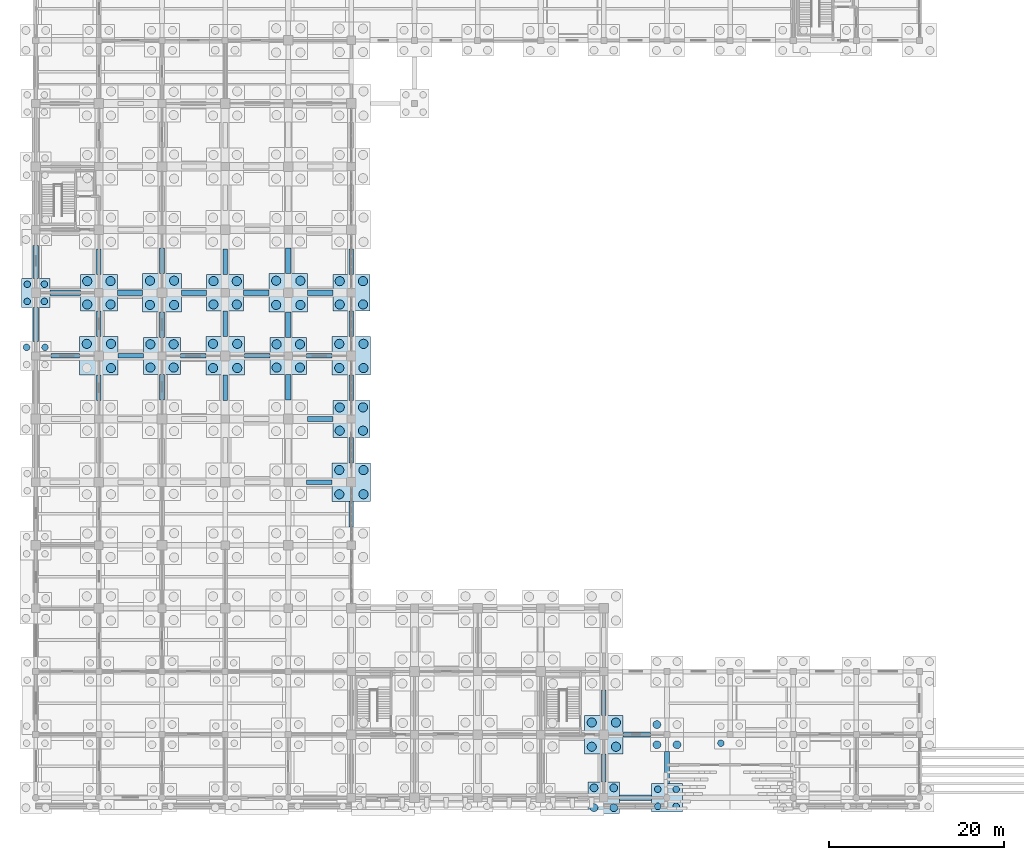
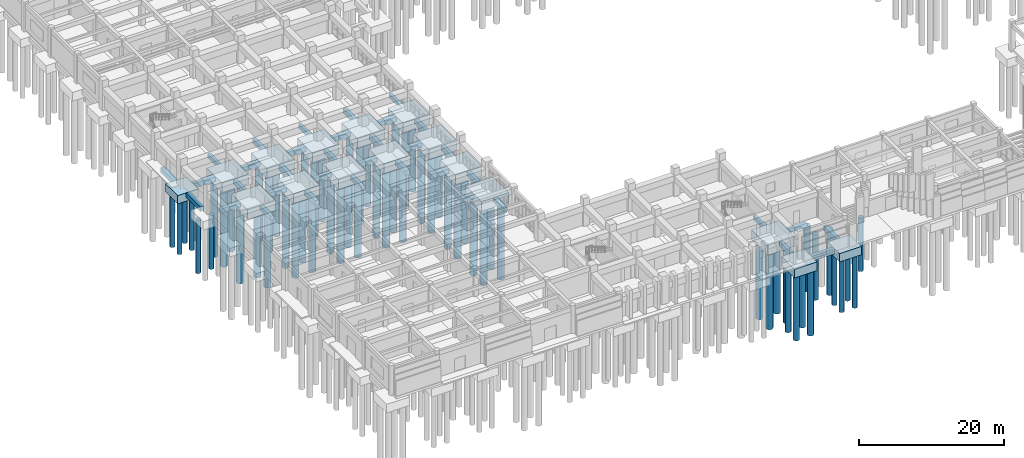
# One storey, part 4 of 79: 69 piles, 52 footings.
"""IFC4 building model written with IfcOpenShell, lengths in metres."""

from ifc_helpers import new_model, si_unit, direction, frame, origin, origin_2d, place, context, subcontext, project, spatial, polyline, rectangle, circle, outline, extrude, material, material_profile, profile_set, type_object, element, save


model = new_model("IFC4")

# Units and contexts
model_context = context("Model", 3, precision=1e-05, world=origin(), true_north=direction((0.0, 1.0)))
body_context = subcontext(model_context, "Body", "Model", "MODEL_VIEW")
ifc_project = project(units=[si_unit("LENGTHUNIT", "METRE"), si_unit("AREAUNIT", "SQUARE_METRE"), si_unit("VOLUMEUNIT", "CUBIC_METRE"), si_unit("PLANEANGLEUNIT", "RADIAN"), si_unit("MASSUNIT", "GRAM", prefix="KILO")], contexts=[model_context])

# Site, building, storey
site_placement = place(None, origin())
site = spatial("IfcSite", under=ifc_project, at=site_placement, CompositionType="ELEMENT")
building_placement = place(site_placement, origin())
building = spatial("IfcBuilding", under=site, at=building_placement, Name="Kavelor Marine Aquarium", CompositionType="ELEMENT")
storey_placement = place(building_placement, origin())
storey = spatial("IfcBuildingStorey", under=building, at=storey_placement, Name="L00", CompositionType="ELEMENT", Elevation=0.0)

# Footings
ifc_material_1 = material(Name="Concrete C40/50", Category="concrete")
footing_type_1 = type_object("IfcFootingType", Name="CAP-PC01", PredefinedType="PILE_CAP", material=ifc_material_1)
footing_1_placement = place(storey_placement, frame((0.0, 0.0, -2.0)))
element("IfcFooting", 1, at=footing_1_placement, inside=storey, type_object=footing_type_1, Name="Pile Cap PC01 (2-H)", PredefinedType="PILE_CAP", context=body_context, shape_type="SweptSolid", body=[
    extrude(outline(polyline([(8.199951171875, 51.0), (12.60009765625, 51.0), (12.60009765625, 55.39990234375), (8.199951171875, 55.39990234375), (8.199951171875, 51.0)])), origin(), (0.0, 0.0, 1.0), 1.64990234375),
])
footing_2_placement = place(storey_placement, frame((0.0, 0.0, -2.0)))
element("IfcFooting", 2, at=footing_2_placement, inside=storey, type_object=footing_type_1, Name="Pile Cap PC01 (3-I)", PredefinedType="PILE_CAP", context=body_context, shape_type="SweptSolid", body=[
    extrude(outline(polyline([(15.39990234375, 58.199951171875), (19.800048828125, 58.199951171875), (19.800048828125, 62.60009765625), (15.39990234375, 62.60009765625), (15.39990234375, 58.199951171875)])), origin(), (0.0, 0.0, 1.0), 1.64990234375),
])
footing_3_placement = place(storey_placement, frame((0.0, 0.0, -2.0)))
element("IfcFooting", 3, at=footing_3_placement, inside=storey, type_object=footing_type_1, Name="Pile Cap PC01 (4-H)", PredefinedType="PILE_CAP", context=body_context, shape_type="SweptSolid", body=[
    extrude(outline(polyline([(22.60009765625, 51.0), (27.0, 51.0), (27.0, 55.39990234375), (22.60009765625, 55.39990234375), (22.60009765625, 51.0)])), origin(), (0.0, 0.0, 1.0), 1.64990234375),
])
footing_4_placement = place(storey_placement, frame((0.0, 0.0, -2.0)))
element("IfcFooting", 4, at=footing_4_placement, inside=storey, type_object=footing_type_1, Name="Pile Cap PC01 (5-I)", PredefinedType="PILE_CAP", context=body_context, shape_type="SweptSolid", body=[
    extrude(outline(polyline([(29.800048828125, 58.199951171875), (34.199951171875, 58.199951171875), (34.199951171875, 62.60009765625), (29.800048828125, 62.60009765625), (29.800048828125, 58.199951171875)])), origin(), (0.0, 0.0, 1.0), 1.64990234375),
])
footing_5_placement = place(storey_placement, frame((0.0, 0.0, -2.0)))
element("IfcFooting", 5, at=footing_5_placement, inside=storey, type_object=footing_type_1, Name="Pile Cap PC01 (6-F)", PredefinedType="PILE_CAP", context=body_context, shape_type="SweptSolid", body=[
    extrude(outline(polyline([(37.0, 36.60009765625), (41.39990234375, 36.60009765625), (41.39990234375, 41.0), (37.0, 41.0), (37.0, 36.60009765625)])), origin(), (0.0, 0.0, 1.0), 1.64990234375),
])
footing_6_placement = place(storey_placement, frame((0.0, 0.0, -2.0)))
element("IfcFooting", 6, at=footing_6_placement, inside=storey, type_object=footing_type_1, Name="Pile Cap PC01 (6-H)", PredefinedType="PILE_CAP", context=body_context, shape_type="SweptSolid", body=[
    extrude(outline(polyline([(37.0, 51.0), (41.39990234375, 51.0), (41.39990234375, 55.39990234375), (37.0, 55.39990234375), (37.0, 51.0)])), origin(), (0.0, 0.0, 1.0), 1.64990234375),
])
footing_7_placement = place(storey_placement, frame((0.0, 0.0, -2.0)))
element("IfcFooting", 7, at=footing_7_placement, inside=storey, type_object=footing_type_1, Name="Pile Cap PC01 (10-B)", PredefinedType="PILE_CAP", context=body_context, shape_type="SweptSolid", body=[
    extrude(outline(polyline([(65.800048828125, 7.800048828125), (70.199951171875, 7.800048828125), (70.199951171875, 12.199951171875), (65.800048828125, 12.199951171875), (65.800048828125, 7.800048828125)])), origin(), (0.0, 0.0, 1.0), 1.64990234375),
])
ifc_material_2 = material(Name="Concrete C40/50", Category="concrete")
footing_type_2 = type_object("IfcFootingType", Name="CAP-PC02", PredefinedType="PILE_CAP", material=ifc_material_2)
footing_8_placement = place(storey_placement, frame((0.0, 0.0, -1.949951171875)))
element("IfcFooting", 8, at=footing_8_placement, inside=storey, type_object=footing_type_2, Name="Pile Cap PC02 (2-I)", PredefinedType="PILE_CAP", context=body_context, shape_type="SweptSolid", body=[
    extrude(outline(polyline([(8.300048828125, 58.300048828125), (12.5, 58.300048828125), (12.5, 62.5), (8.300048828125, 62.5), (8.300048828125, 58.300048828125)])), origin(), (0.0, 0.0, 1.0), 1.599853515625),
])
footing_9_placement = place(storey_placement, frame((0.0, 0.0, -1.949951171875)))
element("IfcFooting", 9, at=footing_9_placement, inside=storey, type_object=footing_type_2, Name="Pile Cap PC02 (3-H)", PredefinedType="PILE_CAP", context=body_context, shape_type="SweptSolid", body=[
    extrude(outline(polyline([(15.5, 51.10009765625), (19.699951171875, 51.10009765625), (19.699951171875, 55.300048828125), (15.5, 55.300048828125), (15.5, 51.10009765625)])), origin(), (0.0, 0.0, 1.0), 1.599853515625),
])
footing_10_placement = place(storey_placement, frame((0.0, 0.0, -1.949951171875)))
element("IfcFooting", 10, at=footing_10_placement, inside=storey, type_object=footing_type_2, Name="Pile Cap PC02 (4-I)", PredefinedType="PILE_CAP", context=body_context, shape_type="SweptSolid", body=[
    extrude(outline(polyline([(22.699951171875, 58.300048828125), (26.89990234375, 58.300048828125), (26.89990234375, 62.5), (22.699951171875, 62.5), (22.699951171875, 58.300048828125)])), origin(), (0.0, 0.0, 1.0), 1.599853515625),
])
footing_11_placement = place(storey_placement, frame((0.0, 0.0, -1.949951171875)))
element("IfcFooting", 11, at=footing_11_placement, inside=storey, type_object=footing_type_2, Name="Pile Cap PC02 (5-H)", PredefinedType="PILE_CAP", context=body_context, shape_type="SweptSolid", body=[
    extrude(outline(polyline([(29.89990234375, 51.10009765625), (34.10009765625, 51.10009765625), (34.10009765625, 55.300048828125), (29.89990234375, 55.300048828125), (29.89990234375, 51.10009765625)])), origin(), (0.0, 0.0, 1.0), 1.599853515625),
])
footing_12_placement = place(storey_placement, frame((0.0, 0.0, -1.949951171875)))
element("IfcFooting", 12, at=footing_12_placement, inside=storey, type_object=footing_type_2, Name="Pile Cap PC02 (6-G)", PredefinedType="PILE_CAP", context=body_context, shape_type="SweptSolid", body=[
    extrude(outline(polyline([(37.10009765625, 43.89990234375), (41.300048828125, 43.89990234375), (41.300048828125, 48.10009765625), (37.10009765625, 48.10009765625), (37.10009765625, 43.89990234375)])), origin(), (0.0, 0.0, 1.0), 1.599853515625),
])
footing_13_placement = place(storey_placement, frame((0.0, 0.0, -1.949951171875)))
element("IfcFooting", 13, at=footing_13_placement, inside=storey, type_object=footing_type_2, Name="Pile Cap PC02 (6-I)", PredefinedType="PILE_CAP", context=body_context, shape_type="SweptSolid", body=[
    extrude(outline(polyline([(37.10009765625, 58.300048828125), (41.300048828125, 58.300048828125), (41.300048828125, 62.5), (37.10009765625, 62.5), (37.10009765625, 58.300048828125)])), origin(), (0.0, 0.0, 1.0), 1.599853515625),
])
ifc_material_3 = material(Name="Concrete C40/50", Category="concrete")
footing_type_3 = type_object("IfcFootingType", Name="CAP-PC06", PredefinedType="PILE_CAP", material=ifc_material_3)
footing_14_placement = place(storey_placement, frame((0.0, 0.0, -1.800048828125)))
element("IfcFooting", 14, at=footing_14_placement, inside=storey, type_object=footing_type_3, Name="Pile Cap PC06 (10-A)", PredefinedType="PILE_CAP", context=body_context, shape_type="SweptSolid", body=[
    extrude(outline(polyline([(66.199951171875, 1.0), (69.800048828125, 1.0), (69.800048828125, 4.60009765625), (66.199951171875, 4.60009765625), (66.199951171875, 1.0)])), origin(), (0.0, 0.0, 1.0), 1.449951171875),
])
ifc_material_4 = material(Name="Concrete C40/50", Category="concrete")
footing_type_4 = type_object("IfcFootingType", Name="CAP-PC07", PredefinedType="PILE_CAP", material=ifc_material_4)
footing_15_placement = place(storey_placement, frame((0.0, 0.0, -1.75)))
element("IfcFooting", 15, at=footing_15_placement, inside=storey, type_object=footing_type_4, Name="Pile Cap PC07 (11-A)", PredefinedType="PILE_CAP", context=body_context, shape_type="SweptSolid", body=[
    extrude(outline(polyline([(73.449951171875, 1.14990234375), (76.949951171875, 1.14990234375), (76.949951171875, 4.449951171875), (73.449951171875, 4.449951171875), (73.449951171875, 1.14990234375)])), origin(), (0.0, 0.0, 1.0), 1.39990234375),
])
ifc_material_5 = material(Name="Concrete C40/50", Category="concrete")
footing_type_5 = type_object("IfcFootingType", Name="CAP-PC08", PredefinedType="PILE_CAP", material=ifc_material_5)
footing_16_placement = place(storey_placement, frame((0.0, 0.0, -1.75)))
element("IfcFooting", 16, at=footing_16_placement, inside=storey, type_object=footing_type_5, Name="Pile Cap PC08 (1-I)", PredefinedType="PILE_CAP", context=body_context, shape_type="SweptSolid", body=[
    extrude(outline(polyline([(1.550048828125, 58.75), (4.85009765625, 58.75), (4.85009765625, 62.050048828125), (1.550048828125, 62.050048828125), (1.550048828125, 58.75)])), origin(), (0.0, 0.0, 1.0), 1.39990234375),
])
ifc_material_6 = material(Name="Concrete C40/50", Category="concrete")
ifc_material_profile_1 = material_profile(ifc_material_6, rectangle(XDim=0.60009765625, YDim=0.800048828125, at=origin_2d()), Name="GB 600x800")
ifc_profile_set_1 = profile_set([ifc_material_profile_1], Name="Concrete C40/50")
footing_type_6 = type_object("IfcFootingType", Name="FTB-GB1", PredefinedType="FOOTING_BEAM", material=ifc_profile_set_1)
footing_17_placement = place(storey_placement, frame((3.199951171875, 54.85009765625, -0.75), z_axis=(0.0, 1.0, 0.0), x_axis=(-1.0, 0.0, 0.0)))
element("IfcFooting", 17, at=footing_17_placement, inside=storey, type_object=footing_type_6, Name="ftb:y:00_07", PredefinedType="FOOTING_BEAM", context=body_context, shape_type="SweptSolid", body=[
    extrude(rectangle(XDim=0.60009765625, YDim=0.800048828125, at=origin_2d()), origin(), (0.0, 0.0, 1.0), 3.89990234375),
])
footing_18_placement = place(storey_placement, frame((4.85009765625, 60.39990234375, -0.75), z_axis=(1.0, 0.0, 0.0), x_axis=(0.0, 1.0, 0.0)))
element("IfcFooting", 18, at=footing_18_placement, inside=storey, type_object=footing_type_6, Name="ftb:x:00_08", PredefinedType="FOOTING_BEAM", context=body_context, shape_type="SweptSolid", body=[
    extrude(rectangle(XDim=0.60009765625, YDim=0.800048828125, at=origin_2d()), origin(), (0.0, 0.0, 1.0), 3.449951171875),
])
footing_19_placement = place(storey_placement, frame((3.199951171875, 62.050048828125, -0.75), z_axis=(0.0, 1.0, 0.0), x_axis=(-1.0, 0.0, 0.0)))
element("IfcFooting", 19, at=footing_19_placement, inside=storey, type_object=footing_type_6, Name="ftb:y:00_08", PredefinedType="FOOTING_BEAM", context=body_context, shape_type="SweptSolid", body=[
    extrude(rectangle(XDim=0.60009765625, YDim=0.800048828125, at=origin_2d()), origin(), (0.0, 0.0, 1.0), 3.75),
])
footing_20_placement = place(storey_placement, frame((12.5, 60.39990234375, -0.75), z_axis=(1.0, 0.0, 0.0), x_axis=(0.0, 1.0, 0.0)))
element("IfcFooting", 20, at=footing_20_placement, inside=storey, type_object=footing_type_6, Name="ftb:x:01_08", PredefinedType="FOOTING_BEAM", context=body_context, shape_type="SweptSolid", body=[
    extrude(rectangle(XDim=0.60009765625, YDim=0.800048828125, at=origin_2d()), origin(), (0.0, 0.0, 1.0), 2.89990234375),
])
footing_21_placement = place(storey_placement, frame((17.60009765625, 48.199951171875, -0.75), z_axis=(0.0, 1.0, 0.0), x_axis=(-1.0, 0.0, 0.0)))
element("IfcFooting", 21, at=footing_21_placement, inside=storey, type_object=footing_type_6, Name="ftb:y:02_06", PredefinedType="FOOTING_BEAM", context=body_context, shape_type="SweptSolid", body=[
    extrude(rectangle(XDim=0.60009765625, YDim=0.800048828125, at=origin_2d()), origin(), (0.0, 0.0, 1.0), 2.900146484375),
])
for number, where, z_axis, x_axis, name in (
    (22, (17.60009765625, 55.300048828125, -0.75), (0.0, 1.0, 0.0), (-1.0, 0.0, 0.0), "ftb:y:02_07"),
    (23, (19.800048828125, 60.39990234375, -0.75), (1.0, 0.0, 0.0), (0.0, 1.0, 0.0), "ftb:x:02_08"),
    (24, (17.60009765625, 62.60009765625, -0.75), (0.0, 1.0, 0.0), (-1.0, 0.0, 0.0), "ftb:y:02_08"),
):
    element("IfcFooting", number, at=place(storey_placement, frame(where, z_axis=z_axis, x_axis=x_axis)), inside=storey, type_object=footing_type_6, Name=name, PredefinedType="FOOTING_BEAM", context=body_context, shape_type="SweptSolid", body=[
        extrude(rectangle(XDim=0.60009765625, YDim=0.800048828125, at=origin_2d()), origin(), (0.0, 0.0, 1.0), 2.89990234375),
    ])
for number, where, z_axis, x_axis, name in (
    (25, (26.89990234375, 60.39990234375, -0.75), (1.0, 0.0, 0.0), (0.0, 1.0, 0.0), "ftb:x:03_08"),
    (26, (34.199951171875, 46.0, -0.75), (1.0, 0.0, 0.0), (0.0, 1.0, 0.0), "ftb:x:04_06"),
    (27, (32.0, 48.199951171875, -0.75), (0.0, 1.0, 0.0), (-1.0, 0.0, 0.0), "ftb:y:04_06"),
):
    element("IfcFooting", number, at=place(storey_placement, frame(where, z_axis=z_axis, x_axis=x_axis)), inside=storey, type_object=footing_type_6, Name=name, PredefinedType="FOOTING_BEAM", context=body_context, shape_type="SweptSolid", body=[
        extrude(rectangle(XDim=0.60009765625, YDim=0.800048828125, at=origin_2d()), origin(), (0.0, 0.0, 1.0), 2.900146484375),
    ])
footing_22_placement = place(storey_placement, frame((32.0, 55.300048828125, -0.75), z_axis=(0.0, 1.0, 0.0), x_axis=(-1.0, 0.0, 0.0)))
element("IfcFooting", 28, at=footing_22_placement, inside=storey, type_object=footing_type_6, Name="ftb:y:04_07", PredefinedType="FOOTING_BEAM", context=body_context, shape_type="SweptSolid", body=[
    extrude(rectangle(XDim=0.60009765625, YDim=0.800048828125, at=origin_2d()), origin(), (0.0, 0.0, 1.0), 2.89990234375),
])
footing_23_placement = place(storey_placement, frame((34.199951171875, 60.39990234375, -0.75), z_axis=(1.0, 0.0, 0.0), x_axis=(0.0, 1.0, 0.0)))
element("IfcFooting", 29, at=footing_23_placement, inside=storey, type_object=footing_type_6, Name="ftb:x:04_08", PredefinedType="FOOTING_BEAM", context=body_context, shape_type="SweptSolid", body=[
    extrude(rectangle(XDim=0.60009765625, YDim=0.800048828125, at=origin_2d()), origin(), (0.0, 0.0, 1.0), 2.900146484375),
])
footing_24_placement = place(storey_placement, frame((32.0, 62.60009765625, -0.75), z_axis=(0.0, 1.0, 0.0), x_axis=(-1.0, 0.0, 0.0)))
element("IfcFooting", 30, at=footing_24_placement, inside=storey, type_object=footing_type_6, Name="ftb:y:04_08", PredefinedType="FOOTING_BEAM", context=body_context, shape_type="SweptSolid", body=[
    extrude(rectangle(XDim=0.60009765625, YDim=0.800048828125, at=origin_2d()), origin(), (0.0, 0.0, 1.0), 2.89990234375),
])
footing_25_placement = place(storey_placement, frame((69.800048828125, 2.800048828125, -0.75), z_axis=(1.0, 0.0, 0.0), x_axis=(0.0, 1.0, 0.0)))
element("IfcFooting", 31, at=footing_25_placement, inside=storey, type_object=footing_type_6, Name="ftb:x:09_00", PredefinedType="FOOTING_BEAM", context=body_context, shape_type="SweptSolid", body=[
    extrude(rectangle(XDim=0.60009765625, YDim=0.800048828125, at=origin_2d()), origin(), (0.0, 0.0, 1.0), 3.64990234375),
])
footing_26_placement = place(storey_placement, frame((75.199951171875, 4.449951171875, -0.75), z_axis=(0.0, 1.0, 0.0), x_axis=(-1.0, 0.0, 0.0)))
element("IfcFooting", 32, at=footing_26_placement, inside=storey, type_object=footing_type_6, Name="ftb:y:10_00", PredefinedType="FOOTING_BEAM", context=body_context, shape_type="SweptSolid", body=[
    extrude(rectangle(XDim=0.60009765625, YDim=0.800048828125, at=origin_2d()), origin(), (0.0, 0.0, 1.0), 3.650146484375),
])
ifc_material_7 = material(Name="Concrete C40/50", Category="concrete")
ifc_material_profile_2 = material_profile(ifc_material_7, rectangle(XDim=0.5, YDim=0.699951171875, at=origin_2d()), Name="GB 500x700")
ifc_profile_set_2 = profile_set([ifc_material_profile_2], Name="Concrete C40/50")
footing_type_7 = type_object("IfcFootingType", Name="FTB-GB2", PredefinedType="FOOTING_BEAM", material=ifc_profile_set_2)
footing_27_placement = place(storey_placement, frame((4.949951171875, 53.199951171875, -0.699951171875), z_axis=(1.0, 0.0, 0.0), x_axis=(0.0, 1.0, 0.0)))
element("IfcFooting", 33, at=footing_27_placement, inside=storey, type_object=footing_type_7, Name="ftb:x:00_07", PredefinedType="FOOTING_BEAM", context=body_context, shape_type="SweptSolid", body=[
    extrude(rectangle(XDim=0.5, YDim=0.699951171875, at=origin_2d()), origin(), (0.0, 0.0, 1.0), 3.25),
])
for number, where, z_axis, x_axis, name in (
    (34, (10.39990234375, 48.10009765625, -0.699951171875), (0.0, 1.0, 0.0), (-1.0, 0.0, 0.0), "ftb:y:01_06"),
    (35, (12.60009765625, 53.199951171875, -0.699951171875), (1.0, 0.0, 0.0), (0.0, 1.0, 0.0), "ftb:x:01_07"),
):
    element("IfcFooting", number, at=place(storey_placement, frame(where, z_axis=z_axis, x_axis=x_axis)), inside=storey, type_object=footing_type_7, Name=name, PredefinedType="FOOTING_BEAM", context=body_context, shape_type="SweptSolid", body=[
        extrude(rectangle(XDim=0.5, YDim=0.699951171875, at=origin_2d()), origin(), (0.0, 0.0, 1.0), 2.89990234375),
    ])
footing_28_placement = place(storey_placement, frame((10.39990234375, 55.39990234375, -0.699951171875), z_axis=(0.0, 1.0, 0.0), x_axis=(-1.0, 0.0, 0.0)))
element("IfcFooting", 36, at=footing_28_placement, inside=storey, type_object=footing_type_7, Name="ftb:y:01_07", PredefinedType="FOOTING_BEAM", context=body_context, shape_type="SweptSolid", body=[
    extrude(rectangle(XDim=0.5, YDim=0.699951171875, at=origin_2d()), origin(), (0.0, 0.0, 1.0), 2.900146484375),
])
footing_29_placement = place(storey_placement, frame((10.39990234375, 62.5, -0.699951171875), z_axis=(0.0, 1.0, 0.0), x_axis=(-1.0, 0.0, 0.0)))
element("IfcFooting", 37, at=footing_29_placement, inside=storey, type_object=footing_type_7, Name="ftb:y:01_08", PredefinedType="FOOTING_BEAM", context=body_context, shape_type="SweptSolid", body=[
    extrude(rectangle(XDim=0.5, YDim=0.699951171875, at=origin_2d()), origin(), (0.0, 0.0, 1.0), 2.89990234375),
])
footing_30_placement = place(storey_placement, frame((19.699951171875, 53.199951171875, -0.699951171875), z_axis=(1.0, 0.0, 0.0), x_axis=(0.0, 1.0, 0.0)))
element("IfcFooting", 38, at=footing_30_placement, inside=storey, type_object=footing_type_7, Name="ftb:x:02_07", PredefinedType="FOOTING_BEAM", context=body_context, shape_type="SweptSolid", body=[
    extrude(rectangle(XDim=0.5, YDim=0.699951171875, at=origin_2d()), origin(), (0.0, 0.0, 1.0), 2.900146484375),
])
for number, where, z_axis, x_axis, name in (
    (39, (24.800048828125, 48.10009765625, -0.699951171875), (0.0, 1.0, 0.0), (-1.0, 0.0, 0.0), "ftb:y:03_06"),
    (40, (27.0, 53.199951171875, -0.699951171875), (1.0, 0.0, 0.0), (0.0, 1.0, 0.0), "ftb:x:03_07"),
):
    element("IfcFooting", number, at=place(storey_placement, frame(where, z_axis=z_axis, x_axis=x_axis)), inside=storey, type_object=footing_type_7, Name=name, PredefinedType="FOOTING_BEAM", context=body_context, shape_type="SweptSolid", body=[
        extrude(rectangle(XDim=0.5, YDim=0.699951171875, at=origin_2d()), origin(), (0.0, 0.0, 1.0), 2.89990234375),
    ])
footing_31_placement = place(storey_placement, frame((24.800048828125, 55.39990234375, -0.699951171875), z_axis=(0.0, 1.0, 0.0), x_axis=(-1.0, 0.0, 0.0)))
element("IfcFooting", 41, at=footing_31_placement, inside=storey, type_object=footing_type_7, Name="ftb:y:03_07", PredefinedType="FOOTING_BEAM", context=body_context, shape_type="SweptSolid", body=[
    extrude(rectangle(XDim=0.5, YDim=0.699951171875, at=origin_2d()), origin(), (0.0, 0.0, 1.0), 2.900146484375),
])
for number, where, z_axis, x_axis, name in (
    (42, (24.800048828125, 62.5, -0.699951171875), (0.0, 1.0, 0.0), (-1.0, 0.0, 0.0), "ftb:y:03_08"),
    (43, (34.10009765625, 38.800048828125, -0.699951171875), (1.0, 0.0, 0.0), (0.0, 1.0, 0.0), "ftb:x:04_05"),
    (44, (34.10009765625, 53.199951171875, -0.699951171875), (1.0, 0.0, 0.0), (0.0, 1.0, 0.0), "ftb:x:04_07"),
):
    element("IfcFooting", number, at=place(storey_placement, frame(where, z_axis=z_axis, x_axis=x_axis)), inside=storey, type_object=footing_type_7, Name=name, PredefinedType="FOOTING_BEAM", context=body_context, shape_type="SweptSolid", body=[
        extrude(rectangle(XDim=0.5, YDim=0.699951171875, at=origin_2d()), origin(), (0.0, 0.0, 1.0), 2.89990234375),
    ])
footing_32_placement = place(storey_placement, frame((39.199951171875, 33.699951171875, -0.699951171875), z_axis=(0.0, 1.0, 0.0), x_axis=(-1.0, 0.0, 0.0)))
element("IfcFooting", 45, at=footing_32_placement, inside=storey, type_object=footing_type_7, Name="ftb:y:05_04", PredefinedType="FOOTING_BEAM", context=body_context, shape_type="SweptSolid", body=[
    extrude(rectangle(XDim=0.5, YDim=0.699951171875, at=origin_2d()), origin(), (0.0, 0.0, 1.0), 2.900146484375),
])
for number, where, z_axis, x_axis, name in (
    (46, (39.199951171875, 41.0, -0.699951171875), (0.0, 1.0, 0.0), (-1.0, 0.0, 0.0), "ftb:y:05_05"),
    (47, (39.199951171875, 48.10009765625, -0.699951171875), (0.0, 1.0, 0.0), (-1.0, 0.0, 0.0), "ftb:y:05_06"),
):
    element("IfcFooting", number, at=place(storey_placement, frame(where, z_axis=z_axis, x_axis=x_axis)), inside=storey, type_object=footing_type_7, Name=name, PredefinedType="FOOTING_BEAM", context=body_context, shape_type="SweptSolid", body=[
        extrude(rectangle(XDim=0.5, YDim=0.699951171875, at=origin_2d()), origin(), (0.0, 0.0, 1.0), 2.89990234375),
    ])
footing_33_placement = place(storey_placement, frame((39.199951171875, 55.39990234375, -0.699951171875), z_axis=(0.0, 1.0, 0.0), x_axis=(-1.0, 0.0, 0.0)))
element("IfcFooting", 48, at=footing_33_placement, inside=storey, type_object=footing_type_7, Name="ftb:y:05_07", PredefinedType="FOOTING_BEAM", context=body_context, shape_type="SweptSolid", body=[
    extrude(rectangle(XDim=0.5, YDim=0.699951171875, at=origin_2d()), origin(), (0.0, 0.0, 1.0), 2.900146484375),
])
footing_34_placement = place(storey_placement, frame((39.199951171875, 62.5, -0.699951171875), z_axis=(0.0, 1.0, 0.0), x_axis=(-1.0, 0.0, 0.0)))
element("IfcFooting", 49, at=footing_34_placement, inside=storey, type_object=footing_type_7, Name="ftb:y:05_08", PredefinedType="FOOTING_BEAM", context=body_context, shape_type="SweptSolid", body=[
    extrude(rectangle(XDim=0.5, YDim=0.699951171875, at=origin_2d()), origin(), (0.0, 0.0, 1.0), 2.89990234375),
])
footing_35_placement = place(storey_placement, frame((68.0, 4.60009765625, -0.699951171875), z_axis=(0.0, 1.0, 0.0), x_axis=(-1.0, 0.0, 0.0)))
element("IfcFooting", 50, at=footing_35_placement, inside=storey, type_object=footing_type_7, Name="ftb:y:09_00", PredefinedType="FOOTING_BEAM", context=body_context, shape_type="SweptSolid", body=[
    extrude(rectangle(XDim=0.5, YDim=0.699951171875, at=origin_2d()), origin(), (0.0, 0.0, 1.0), 3.199951171875),
])
footing_36_placement = place(storey_placement, frame((70.199951171875, 10.0, -0.699951171875), z_axis=(1.0, 0.0, 0.0), x_axis=(0.0, 1.0, 0.0)))
element("IfcFooting", 51, at=footing_36_placement, inside=storey, type_object=footing_type_7, Name="ftb:x:09_01", PredefinedType="FOOTING_BEAM", context=body_context, shape_type="SweptSolid", body=[
    extrude(rectangle(XDim=0.5, YDim=0.699951171875, at=origin_2d()), origin(), (0.0, 0.0, 1.0), 3.10009765625),
])
footing_37_placement = place(storey_placement, frame((68.0, 12.199951171875, -0.699951171875), z_axis=(0.0, 1.0, 0.0), x_axis=(-1.0, 0.0, 0.0)))
element("IfcFooting", 52, at=footing_37_placement, inside=storey, type_object=footing_type_7, Name="ftb:y:09_01", PredefinedType="FOOTING_BEAM", context=body_context, shape_type="SweptSolid", body=[
    extrude(rectangle(XDim=0.5, YDim=0.699951171875, at=origin_2d()), origin(), (0.0, 0.0, 1.0), 2.900146484375),
])

# Piles
ifc_material_8 = material(Name="Concrete C40/50", Category="concrete")
ifc_material_profile_3 = material_profile(ifc_material_8, circle(Radius=0.52490234375, at=origin_2d()), Name="PILE D1050")
ifc_profile_set_3 = profile_set([ifc_material_profile_3], Name="Concrete C40/50")
pile_type_1 = type_object("IfcPileType", Name="PILE-P1", PredefinedType="BORED", material=ifc_profile_set_3)
for number, where, z_axis, x_axis, name in (
    (53, (11.780029296875, 51.820068359375, -1.89990234375), (0.0, 0.0, -1.0), (1.0, 0.0, 0.0), "Bored Pile P1 (2-H-2)"),
    (54, (9.02001953125, 54.580078125, -1.89990234375), (0.0, 0.0, -1.0), (1.0, 0.0, 0.0), "Bored Pile P1 (2-H-3)"),
    (55, (11.780029296875, 54.580078125, -1.89990234375), (0.0, 0.0, -1.0), (1.0, 0.0, 0.0), "Bored Pile P1 (2-H-4)"),
    (56, (9.070068359375, 59.070068359375, -1.85009765625), (0.0, 0.0, -1.0), (1.0, 0.0, 0.0), "Bored Pile P1 (2-I-1)"),
    (57, (11.72998046875, 59.070068359375, -1.85009765625), (0.0, 0.0, -1.0), (1.0, 0.0, 0.0), "Bored Pile P1 (2-I-2)"),
    (58, (9.070068359375, 61.72998046875, -1.85009765625), (0.0, 0.0, -1.0), (1.0, 0.0, 0.0), "Bored Pile P1 (2-I-3)"),
    (59, (11.72998046875, 61.72998046875, -1.85009765625), (0.0, 0.0, -1.0), (1.0, 0.0, 0.0), "Bored Pile P1 (2-I-4)"),
    (60, (16.27001953125, 51.8701171875, -1.85009765625), (0.0, 0.0, -1.0), (1.0, 0.0, 0.0), "Bored Pile P1 (3-H-1)"),
    (61, (18.929931640625, 51.8701171875, -1.85009765625), (0.0, 0.0, -1.0), (1.0, 0.0, 0.0), "Bored Pile P1 (3-H-2)"),
    (62, (16.27001953125, 54.530029296875, -1.85009765625), (0.0, 0.0, -1.0), (1.0, 0.0, 0.0), "Bored Pile P1 (3-H-3)"),
    (63, (18.929931640625, 54.530029296875, -1.85009765625), (0.0, 0.0, -1.0), (1.0, 0.0, 0.0), "Bored Pile P1 (3-H-4)"),
    (64, (16.219970703125, 59.02001953125, -1.89990234375), (0.0, 0.0, -1.0), (1.0, 0.0, 0.0), "Bored Pile P1 (3-I-1)"),
    (65, (18.97998046875, 59.02001953125, -1.89990234375), (0.0, 0.0, -1.0), (1.0, 0.0, 0.0), "Bored Pile P1 (3-I-2)"),
    (66, (16.219970703125, 61.780029296875, -1.89990234375), (0.0, 0.0, -1.0), (1.0, 0.0, 0.0), "Bored Pile P1 (3-I-3)"),
    (67, (18.97998046875, 61.780029296875, -1.89990234375), (0.0, 0.0, -1.0), (1.0, 0.0, 0.0), "Bored Pile P1 (3-I-4)"),
    (68, (23.419921875, 51.820068359375, -1.89990234375), (0.0, 0.0, -1.0), (1.0, 0.0, 0.0), "Bored Pile P1 (4-H-1)"),
    (69, (26.179931640625, 51.820068359375, -1.89990234375), (0.0, 0.0, -1.0), (1.0, 0.0, 0.0), "Bored Pile P1 (4-H-2)"),
    (70, (23.419921875, 54.580078125, -1.89990234375), (0.0, 0.0, -1.0), (1.0, 0.0, 0.0), "Bored Pile P1 (4-H-3)"),
    (71, (26.179931640625, 54.580078125, -1.89990234375), (0.0, 0.0, -1.0), (1.0, 0.0, 0.0), "Bored Pile P1 (4-H-4)"),
    (72, (23.469970703125, 59.070068359375, -1.85009765625), (0.0, 0.0, -1.0), (1.0, 0.0, 0.0), "Bored Pile P1 (4-I-1)"),
    (73, (26.1298828125, 59.070068359375, -1.85009765625), (0.0, 0.0, -1.0), (1.0, 0.0, 0.0), "Bored Pile P1 (4-I-2)"),
    (74, (23.469970703125, 61.72998046875, -1.85009765625), (0.0, 0.0, -1.0), (1.0, 0.0, 0.0), "Bored Pile P1 (4-I-3)"),
    (75, (26.1298828125, 61.72998046875, -1.85009765625), (0.0, 0.0, -1.0), (1.0, 0.0, 0.0), "Bored Pile P1 (4-I-4)"),
    (76, (30.669921875, 51.8701171875, -1.85009765625), (0.0, 0.0, -1.0), (1.0, 0.0, 0.0), "Bored Pile P1 (5-H-1)"),
    (77, (33.330078125, 51.8701171875, -1.85009765625), (0.0, 0.0, -1.0), (1.0, 0.0, 0.0), "Bored Pile P1 (5-H-2)"),
    (78, (30.669921875, 54.530029296875, -1.85009765625), (0.0, 0.0, -1.0), (1.0, 0.0, 0.0), "Bored Pile P1 (5-H-3)"),
    (79, (33.330078125, 54.530029296875, -1.85009765625), (0.0, 0.0, -1.0), (1.0, 0.0, 0.0), "Bored Pile P1 (5-H-4)"),
    (80, (30.6201171875, 59.02001953125, -1.89990234375), (0.0, 0.0, -1.0), (1.0, 0.0, 0.0), "Bored Pile P1 (5-I-1)"),
    (81, (33.3798828125, 59.02001953125, -1.89990234375), (0.0, 0.0, -1.0), (1.0, 0.0, 0.0), "Bored Pile P1 (5-I-2)"),
    (82, (30.6201171875, 61.780029296875, -1.89990234375), (0.0, 0.0, -1.0), (1.0, 0.0, 0.0), "Bored Pile P1 (5-I-3)"),
    (83, (33.3798828125, 61.780029296875, -1.89990234375), (0.0, 0.0, -1.0), (1.0, 0.0, 0.0), "Bored Pile P1 (5-I-4)"),
    (84, (37.820068359375, 37.419921875, -1.89990234375), (0.0, 0.0, -1.0), (1.0, 0.0, 0.0), "Bored Pile P1 (6-F-1)"),
    (85, (40.580078125, 37.419921875, -1.89990234375), (0.0, 0.0, -1.0), (1.0, 0.0, 0.0), "Bored Pile P1 (6-F-2)"),
    (86, (37.820068359375, 40.179931640625, -1.89990234375), (0.0, 0.0, -1.0), (1.0, 0.0, 0.0), "Bored Pile P1 (6-F-3)"),
    (87, (40.580078125, 40.179931640625, -1.89990234375), (0.0, 0.0, -1.0), (1.0, 0.0, 0.0), "Bored Pile P1 (6-F-4)"),
    (88, (37.8701171875, 44.669921875, -1.85009765625), (0.0, 0.0, -1.0), (1.0, 0.0, 0.0), "Bored Pile P1 (6-G-1)"),
    (89, (40.530029296875, 44.669921875, -1.85009765625), (0.0, 0.0, -1.0), (1.0, 0.0, 0.0), "Bored Pile P1 (6-G-2)"),
    (90, (37.8701171875, 47.330078125, -1.85009765625), (0.0, 0.0, -1.0), (1.0, 0.0, 0.0), "Bored Pile P1 (6-G-3)"),
    (91, (40.530029296875, 47.330078125, -1.85009765625), (0.0, 0.0, -1.0), (1.0, 0.0, 0.0), "Bored Pile P1 (6-G-4)"),
    (92, (37.820068359375, 51.820068359375, -1.89990234375), (0.0, 0.0, -1.0), (1.0, 0.0, 0.0), "Bored Pile P1 (6-H-1)"),
    (93, (40.580078125, 51.820068359375, -1.89990234375), (0.0, 0.0, -1.0), (1.0, 0.0, 0.0), "Bored Pile P1 (6-H-2)"),
    (94, (37.820068359375, 54.580078125, -1.89990234375), (0.0, 0.0, -1.0), (1.0, 0.0, 0.0), "Bored Pile P1 (6-H-3)"),
    (95, (40.580078125, 54.580078125, -1.89990234375), (0.0, 0.0, -1.0), (1.0, 0.0, 0.0), "Bored Pile P1 (6-H-4)"),
    (96, (37.8701171875, 59.070068359375, -1.85009765625), (0.0, 0.0, -1.0), (1.0, 0.0, 0.0), "Bored Pile P1 (6-I-1)"),
    (97, (40.530029296875, 59.070068359375, -1.85009765625), (0.0, 0.0, -1.0), (1.0, 0.0, 0.0), "Bored Pile P1 (6-I-2)"),
    (98, (37.8701171875, 61.72998046875, -1.85009765625), (0.0, 0.0, -1.0), (1.0, 0.0, 0.0), "Bored Pile P1 (6-I-3)"),
    (99, (40.530029296875, 61.72998046875, -1.85009765625), (0.0, 0.0, -1.0), (1.0, 0.0, 0.0), "Bored Pile P1 (6-I-4)"),
    (100, (66.6201171875, 8.6201171875, -1.89990234375), (0.0, 0.0, -1.0), (1.0, 0.0, 0.0), "Bored Pile P1 (10-B-1)"),
    (101, (69.3798828125, 8.6201171875, -1.89990234375), (0.0, 0.0, -1.0), (1.0, 0.0, 0.0), "Bored Pile P1 (10-B-2)"),
    (102, (66.6201171875, 11.3798828125, -1.89990234375), (0.0, 0.0, -1.0), (1.0, 0.0, 0.0), "Bored Pile P1 (10-B-3)"),
    (103, (69.3798828125, 11.3798828125, -1.89990234375), (0.0, 0.0, -1.0), (1.0, 0.0, 0.0), "Bored Pile P1 (10-B-4)"),
):
    element("IfcPile", number, at=place(storey_placement, frame(where, z_axis=z_axis, x_axis=x_axis)), inside=storey, type_object=pile_type_1, Name=name, PredefinedType="BORED", context=body_context, shape_type="SweptSolid", body=[
        extrude(circle(Radius=0.52490234375, at=origin_2d()), origin(), (0.0, 0.0, 1.0), 13.0),
    ])
ifc_material_9 = material(Name="Concrete C40/50", Category="concrete")
ifc_material_profile_4 = material_profile(ifc_material_9, circle(Radius=0.449951171875, at=origin_2d()), Name="PILE D900")
ifc_profile_set_4 = profile_set([ifc_material_profile_4], Name="Concrete C40/50")
pile_type_2 = type_object("IfcPileType", Name="PILE-P2", PredefinedType="BORED", material=ifc_profile_set_4)
for number, where, z_axis, x_axis, name in (
    (104, (66.8701171875, 1.669921875, -1.699951171875), (0.0, 0.0, -1.0), (1.0, 0.0, 0.0), "Bored Pile P2 (10-A-1)"),
    (105, (69.1298828125, 1.669921875, -1.699951171875), (0.0, 0.0, -1.0), (1.0, 0.0, 0.0), "Bored Pile P2 (10-A-2)"),
    (106, (66.8701171875, 3.929931640625, -1.699951171875), (0.0, 0.0, -1.0), (1.0, 0.0, 0.0), "Bored Pile P2 (10-A-3)"),
    (107, (69.1298828125, 3.929931640625, -1.699951171875), (0.0, 0.0, -1.0), (1.0, 0.0, 0.0), "Bored Pile P2 (10-A-4)"),
    (108, (74.050048828125, 8.85009765625, -1.75), (0.0, 0.0, -1.0), (1.0, 0.0, 0.0), "Bored Pile P2 (11-B-1)"),
    (109, (76.35009765625, 8.85009765625, -1.75), (0.0, 0.0, -1.0), (1.0, 0.0, 0.0), "Bored Pile P2 (11-B-2)"),
    (110, (74.050048828125, 11.14990234375, -1.75), (0.0, 0.0, -1.0), (1.0, 0.0, 0.0), "Bored Pile P2 (11-B-3)"),
):
    element("IfcPile", number, at=place(storey_placement, frame(where, z_axis=z_axis, x_axis=x_axis)), inside=storey, type_object=pile_type_2, Name=name, PredefinedType="BORED", context=body_context, shape_type="SweptSolid", body=[
        extrude(circle(Radius=0.449951171875, at=origin_2d()), origin(), (0.0, 0.0, 1.0), 11.0),
    ])
ifc_material_10 = material(Name="Concrete C40/50", Category="concrete")
ifc_material_profile_5 = material_profile(ifc_material_10, circle(Radius=0.375, at=origin_2d()), Name="PILE D750")
ifc_profile_set_5 = profile_set([ifc_material_profile_5], Name="Concrete C40/50")
pile_type_3 = type_object("IfcPileType", Name="PILE-P3", PredefinedType="BORED", material=ifc_profile_set_5)
for number, where, z_axis, x_axis, name in (
    (111, (2.14990234375, 54.179931640625, -1.64990234375), (0.0, 0.0, -1.0), (1.0, 0.0, 0.0), "Bored Pile P3 (1-H-3)"),
    (112, (4.25, 54.179931640625, -1.64990234375), (0.0, 0.0, -1.0), (1.0, 0.0, 0.0), "Bored Pile P3 (1-H-4)"),
    (113, (2.219970703125, 59.419921875, -1.64990234375), (0.0, 0.0, -1.0), (1.0, 0.0, 0.0), "Bored Pile P3 (1-I-1)"),
    (114, (4.179931640625, 59.419921875, -1.64990234375), (0.0, 0.0, -1.0), (1.0, 0.0, 0.0), "Bored Pile P3 (1-I-2)"),
    (115, (2.219970703125, 61.3798828125, -1.64990234375), (0.0, 0.0, -1.0), (1.0, 0.0, 0.0), "Bored Pile P3 (1-I-3)"),
    (116, (4.179931640625, 61.3798828125, -1.64990234375), (0.0, 0.0, -1.0), (1.0, 0.0, 0.0), "Bored Pile P3 (1-I-4)"),
    (117, (74.14990234375, 1.820068359375, -1.64990234375), (0.0, 0.0, -1.0), (1.0, 0.0, 0.0), "Bored Pile P3 (11-A-1)"),
    (118, (76.25, 1.820068359375, -1.64990234375), (0.0, 0.0, -1.0), (1.0, 0.0, 0.0), "Bored Pile P3 (11-A-2)"),
    (119, (74.14990234375, 3.780029296875, -1.64990234375), (0.0, 0.0, -1.0), (1.0, 0.0, 0.0), "Bored Pile P3 (11-A-3)"),
    (120, (76.25, 3.780029296875, -1.64990234375), (0.0, 0.0, -1.0), (1.0, 0.0, 0.0), "Bored Pile P3 (11-A-4)"),
    (121, (81.35009765625, 9.02001953125, -1.64990234375), (0.0, 0.0, -1.0), (1.0, 0.0, 0.0), "Bored Pile P3 (12-B-1)"),
):
    element("IfcPile", number, at=place(storey_placement, frame(where, z_axis=z_axis, x_axis=x_axis)), inside=storey, type_object=pile_type_3, Name=name, PredefinedType="BORED", context=body_context, shape_type="SweptSolid", body=[
        extrude(circle(Radius=0.375, at=origin_2d()), origin(), (0.0, 0.0, 1.0), 9.0),
    ])

save(model, "model.ifc")
